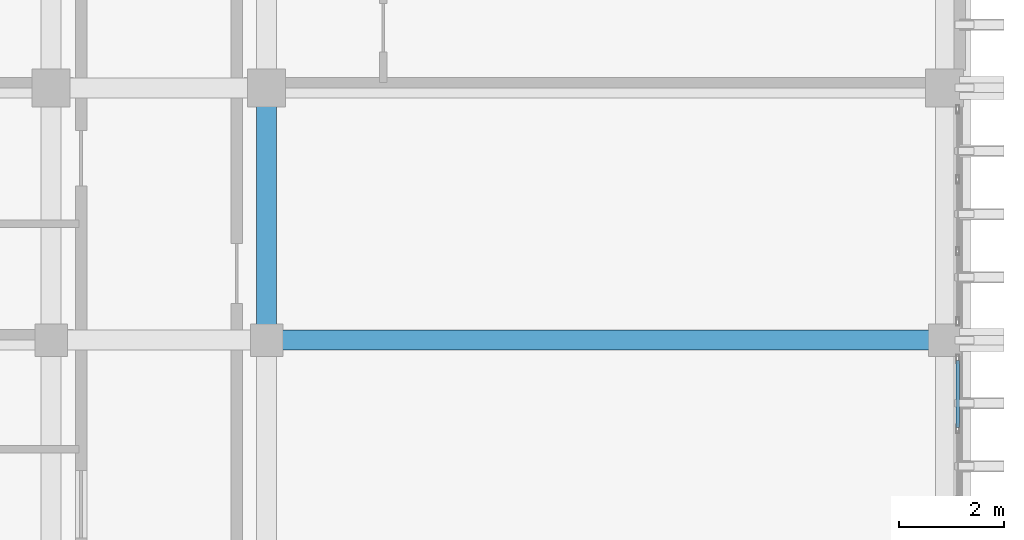
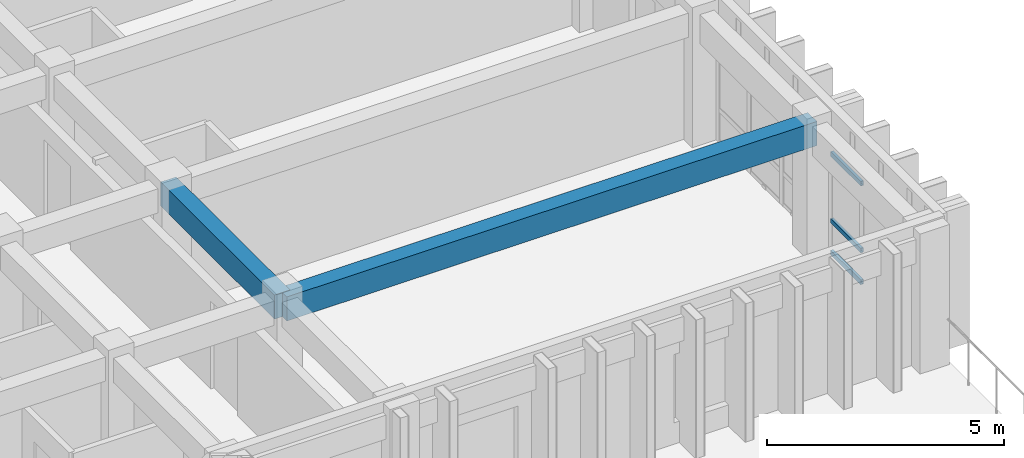
# One storey, part 7 of 59: 3 members, 2 beams, 1 element without a shape of its own.
"""IFC4 building model written with IfcOpenShell, lengths in metres."""

from ifc_helpers import new_model, si_unit, direction, frame, origin, origin_2d, place, context, subcontext, project, spatial, rectangle, hollow_rectangle, extrude, material, layer, layer_set, material_profile, profile_set, type_object, element, aggregate, save


model = new_model("IFC4")

# Units and contexts
model_context = context("Model", 3, precision=1e-05, world=origin(), true_north=direction((0.0, 1.0)))
body_context = subcontext(model_context, "Body", "Model", "MODEL_VIEW")
ifc_project = project(units=[si_unit("LENGTHUNIT", "METRE"), si_unit("AREAUNIT", "SQUARE_METRE"), si_unit("VOLUMEUNIT", "CUBIC_METRE"), si_unit("PLANEANGLEUNIT", "RADIAN"), si_unit("MASSUNIT", "GRAM", prefix="KILO")], contexts=[model_context])

# Site, building, storey
site_placement = place(None, origin())
site = spatial("IfcSite", under=ifc_project, at=site_placement, CompositionType="ELEMENT")
building_placement = place(site_placement, origin())
building = spatial("IfcBuilding", under=site, at=building_placement, Name="Nakhvara Creek Congress Hotel", CompositionType="ELEMENT")
storey_placement = place(building_placement, frame((0.0, 0.0, 31.800048828125)))
storey = spatial("IfcBuildingStorey", under=building, at=storey_placement, Name="L07", CompositionType="ELEMENT", Elevation=31.800048828125)

# Beams
ifc_material_1 = material(Name="Concrete C40/50", Category="concrete")
ifc_material_profile_1 = material_profile(ifc_material_1, rectangle(XDim=0.3798828125, YDim=0.6201171875, at=origin_2d()), Name="RC-BM 380x620", Category="LoadBearing")
ifc_profile_set_1 = profile_set([ifc_material_profile_1], Name="Concrete C40/50")
beam_type = type_object("IfcBeamType", Name="BM-RC-380X620", PredefinedType="BEAM", material=ifc_profile_set_1)
beam_1_placement = place(storey_placement, frame((166.449951171875, 52.800048828125, 3.050048828125), z_axis=(0.0, 1.0, 0.0), x_axis=(-1.0, 0.0, 0.0)))
element("IfcBeam", 1, at=beam_1_placement, inside=storey, type_object=beam_type, Name="Beam B10-L07-2369", PredefinedType="BEAM", context=body_context, shape_type="SweptSolid", body=[
    extrude(rectangle(XDim=0.3798828125, YDim=0.6201171875, at=origin_2d()), origin(), (0.0, 0.0, 1.0), 4.800048828125),
])
beam_2_placement = place(storey_placement, frame((166.449951171875, 52.800048828125, 3.050048828125), z_axis=(1.0, 0.0, 0.0), x_axis=(0.0, 1.0, 0.0)))
element("IfcBeam", 2, at=beam_2_placement, inside=storey, type_object=beam_type, Name="Beam B10-L07-2421", PredefinedType="BEAM", context=body_context, shape_type="SweptSolid", body=[
    extrude(rectangle(XDim=0.3798828125, YDim=0.6201171875, at=origin_2d()), origin(), (0.0, 0.0, 1.0), 12.900146484375),
])

# Curtain wall, members
ifc_material_2 = material(Name="Bronze-anodised aluminium AW-6063-T6 and double-silver low-E glass", Category="aluminium")
ifc_layer = layer(ifc_material_2, 0.199951171875)
ifc_layer_set = layer_set([ifc_layer], Name="Bronze-anodised aluminium AW-6063-T6 and double-silver low-E glass")
curtain_wall_type = type_object("IfcCurtainWallType", Name="CW-HTL-UNIT", PredefinedType="USERDEFINED", material=ifc_layer_set)
curtain_wall_placement = place(storey_placement, origin())
curtain_wall = element("IfcCurtainWall", 3, at=curtain_wall_placement, inside=storey, type_object=curtain_wall_type, Name="Curtain Wall CW253", ObjectType="UNITISED", PredefinedType="USERDEFINED")
ifc_material_3 = material(Name="Bronze-anodised aluminium AW-6063-T6", Category="aluminium")
ifc_material_profile_2 = material_profile(ifc_material_3, hollow_rectangle(XDim=0.06494140625, YDim=0.1201171875, WallThickness=0.00390625, at=origin_2d()), Name="ALU-TRAN 65x120x4", Category="LoadBearing")
ifc_profile_set_2 = profile_set([ifc_material_profile_2], Name="Bronze-anodised aluminium AW-6063-T6")
member_type = type_object("IfcMemberType", Name="CW-TRAN-120", PredefinedType="USERDEFINED", material=ifc_profile_set_2)
member_1_placement = place(storey_placement, frame((179.60009765625, 52.409912109375, 0.032470703125), z_axis=(0.0, -1.0, 0.0), x_axis=(1.0, 0.0, 0.0)))
member_1 = element("IfcMember", 4, at=member_1_placement, type_object=member_type, Name="CW253 transom 1.1", ObjectType="TRANSOM", PredefinedType="USERDEFINED", context=body_context, shape_type="SweptSolid", body=[
    extrude(hollow_rectangle(XDim=0.06494140625, YDim=0.1201171875, WallThickness=0.00390625, at=origin_2d()), origin(), (0.0, 0.0, 1.0), 1.26904296875),
])
member_2_placement = place(storey_placement, frame((179.60009765625, 52.409912109375, 0.849853515625), z_axis=(0.0, -1.0, 0.0), x_axis=(1.0, 0.0, 0.0)))
member_2 = element("IfcMember", 5, at=member_2_placement, type_object=member_type, Name="CW253 transom 1.2", ObjectType="TRANSOM", PredefinedType="USERDEFINED", context=body_context, shape_type="SweptSolid", body=[
    extrude(hollow_rectangle(XDim=0.06494140625, YDim=0.1201171875, WallThickness=0.00390625, at=origin_2d()), origin(), (0.0, 0.0, 1.0), 1.26904296875),
])
member_3_placement = place(storey_placement, frame((179.60009765625, 52.409912109375, 2.5693359375), z_axis=(0.0, -1.0, 0.0), x_axis=(1.0, 0.0, 0.0)))
member_3 = element("IfcMember", 6, at=member_3_placement, type_object=member_type, Name="CW253 transom 1.3", ObjectType="TRANSOM", PredefinedType="USERDEFINED", context=body_context, shape_type="SweptSolid", body=[
    extrude(hollow_rectangle(XDim=0.06494140625, YDim=0.1201171875, WallThickness=0.00390625, at=origin_2d()), origin(), (0.0, 0.0, 1.0), 1.26904296875),
])
aggregate(curtain_wall, [member_1, member_2, member_3])

save(model, "model.ifc")
